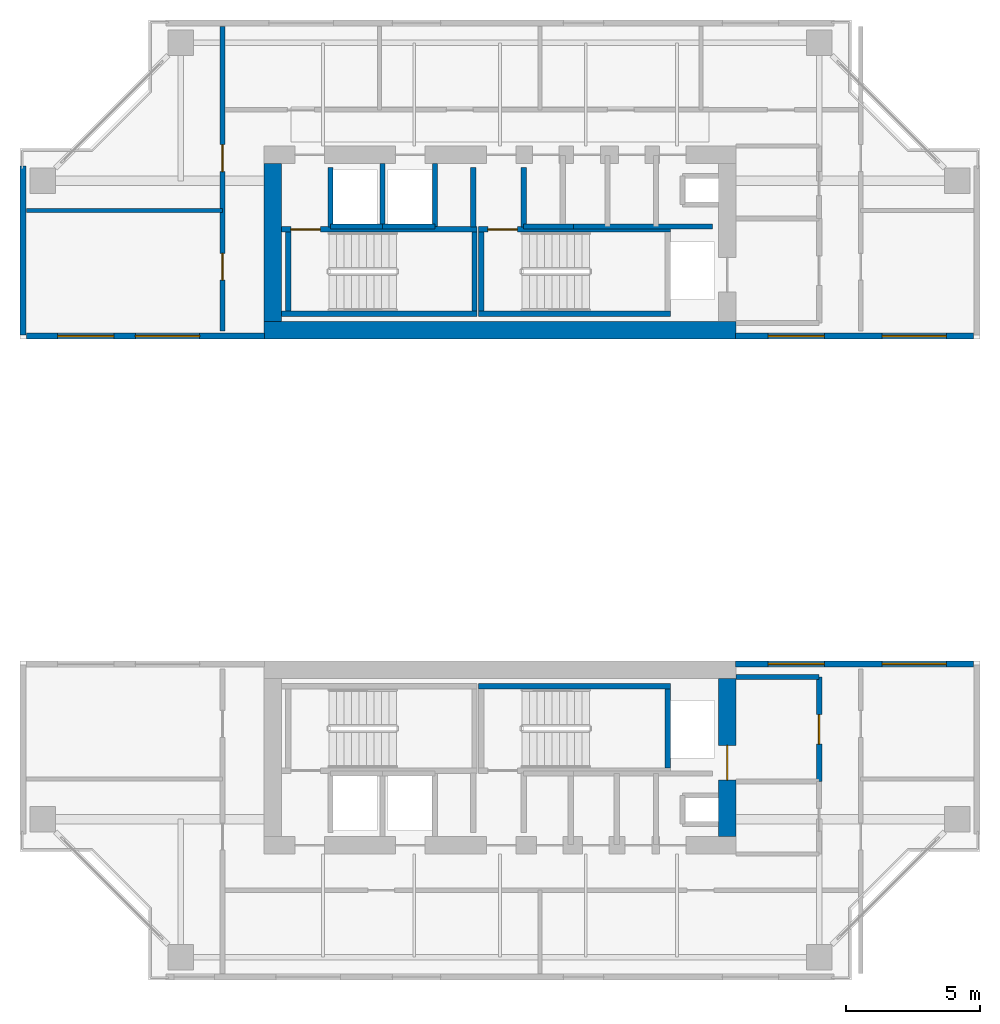
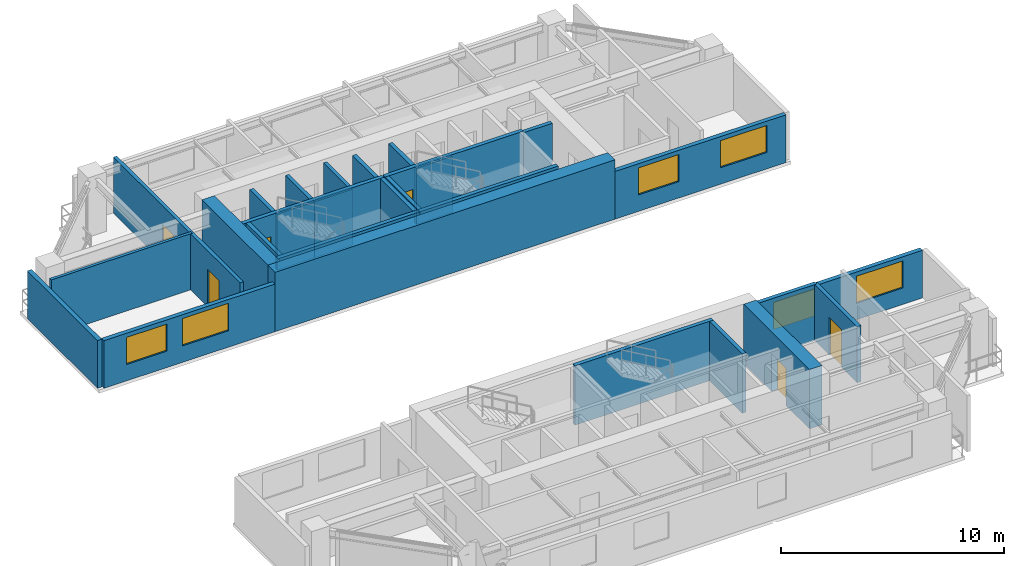
# One storey, part 8 of 12: 29 walls, 6 doors, 6 windows, 12 openings.
"""IFC4 building model written with IfcOpenShell, lengths in metres."""

from ifc_helpers import new_model, si_unit, direction, frame, frame_2d, origin, place, context, subcontext, project, spatial, rectangle, extrude, source, transform, mapped, material, layer, layer_set, type_object, element, fill, save


model = new_model("IFC4")

# Units and contexts
model_context = context("Model", 3, precision=1e-05, world=origin(), true_north=direction((0.0, 1.0)))
body_context = subcontext(model_context, "Body", "Model", "MODEL_VIEW")
ifc_project = project(units=[si_unit("LENGTHUNIT", "METRE"), si_unit("AREAUNIT", "SQUARE_METRE"), si_unit("VOLUMEUNIT", "CUBIC_METRE"), si_unit("PLANEANGLEUNIT", "RADIAN"), si_unit("MASSUNIT", "GRAM", prefix="KILO"), si_unit("THERMODYNAMICTEMPERATUREUNIT", "KELVIN"), si_unit("POWERUNIT", "WATT")], contexts=[model_context])

# Site, building, storey
site_placement = place(None, origin())
site = spatial("IfcSite", under=ifc_project, at=site_placement, CompositionType="ELEMENT")
building_placement = place(site_placement, origin())
building = spatial("IfcBuilding", under=site, at=building_placement, Name="Qiaomeng Ring Towers", CompositionType="ELEMENT")
storey_placement = place(building_placement, frame((0.0, 0.0, 163.25)))
storey = spatial("IfcBuildingStorey", under=building, at=storey_placement, Name="L47", CompositionType="ELEMENT", Elevation=163.25)

# Wall, openings, windows
ifc_material_1 = material(Name="Precast concrete C40", Category="concrete")
ifc_layer_1 = layer(ifc_material_1, 0.219970703125, Name="Precast concrete C40")
ifc_layer_set_1 = layer_set([ifc_layer_1], Name="Precast concrete C40")
wall_type_1 = type_object("IfcWallType", Name="ARC-WL-EW2", PredefinedType="STANDARD", material=ifc_layer_set_1)
wall_1_placement = place(storey_placement, frame((1.35009765625, 29.110107421875, 0.0), z_axis=(0.0, 0.0, 1.0), x_axis=(1.0, 0.0, 0.0)))
wall_1 = element("IfcWall", 1, at=wall_1_placement, inside=storey, type_object=wall_type_1, Name="L47 Portal Wing Wall NWING-W", PredefinedType="STANDARD", context=body_context, shape_type="SweptSolid", body=[
    extrude(rectangle(XDim=8.869873046875, YDim=0.219970703125, at=frame_2d((4.43505859375, 0.0))), origin(), (0.0, 0.0, 1.0), 2.610107421875),
])
opening_1_placement = place(wall_1_placement, frame((1.14990234375, 0.0, 0.89990234375)))
opening_1 = element("IfcOpeningElement", 2, at=opening_1_placement, cuts=wall_1, Name="Opening WN4", PredefinedType="OPENING", context=body_context, shape_type="SweptSolid", body=[
    extrude(rectangle(XDim=2.10009765625, YDim=1.47998046875, at=frame_2d((1.050048828125, 0.739990234375))), frame((0.0, 0.119873046875, 0.0), z_axis=(0.0, -1.0, 0.0), x_axis=(1.0, 0.0, 0.0)), (0.0, 0.0, 1.0), 0.239990234375),
])
opening_2_placement = place(wall_1_placement, frame((4.050048828125, 0.0, 0.89990234375)))
opening_2 = element("IfcOpeningElement", 3, at=opening_2_placement, cuts=wall_1, Name="Opening WN6", PredefinedType="OPENING", context=body_context, shape_type="SweptSolid", body=[
    extrude(rectangle(XDim=2.39990234375, YDim=1.5, at=frame_2d((1.199951171875, 0.75))), frame((0.0, 0.119873046875, 0.0), z_axis=(0.0, -1.0, 0.0), x_axis=(1.0, 0.0, 0.0)), (0.0, 0.0, 1.0), 0.239990234375),
])
ifc_material_2 = material(Name="Low-E dark-grey laminated double glazing", Category="glass")
window_type_1 = type_object("IfcWindowType", Name="ARC-WN-4", PartitioningType="TRIPLE_PANEL_VERTICAL", PredefinedType="WINDOW", material=ifc_material_2)
shared_shape_1 = source(origin(), body_context, "Body", "SweptSolid", [
    extrude(rectangle(XDim=2.10009765625, YDim=1.47998046875, at=frame_2d((1.050048828125, 0.739990234375))), frame((0.0, 0.030029296875, 0.0), z_axis=(0.0, -1.0, 0.0), x_axis=(1.0, 0.0, 0.0)), (0.0, 0.0, 1.0), 0.06005859375),
])
window_1_placement = place(opening_1_placement, origin())
window_1 = element("IfcWindow", 4, at=window_1_placement, inside=storey, type_object=window_type_1, Name="L47 Exterior Window WN4", OverallHeight=1.47998046875, OverallWidth=2.10009765625, PartitioningType="TRIPLE_PANEL_VERTICAL", PredefinedType="WINDOW", context=body_context, shape_type="MappedRepresentation", body=[
    mapped(shared_shape_1, transform((0.0, 0.0, 0.0), x_axis=(1.0, 0.0, 0.0), y_axis=(0.0, 1.0, 0.0), z_axis=(0.0, 0.0, 1.0), scale=1.0)),
])
fill(opening_1, window_1)
window_type_2 = type_object("IfcWindowType", Name="ARC-WN-6", PartitioningType="TRIPLE_PANEL_VERTICAL", PredefinedType="WINDOW", material=ifc_material_2)
shared_shape_2 = source(origin(), body_context, "Body", "SweptSolid", [
    extrude(rectangle(XDim=2.39990234375, YDim=1.5, at=frame_2d((1.199951171875, 0.75))), frame((0.0, 0.030029296875, 0.0), z_axis=(0.0, -1.0, 0.0), x_axis=(1.0, 0.0, 0.0)), (0.0, 0.0, 1.0), 0.06005859375),
])
window_2_placement = place(opening_2_placement, origin())
window_2 = element("IfcWindow", 5, at=window_2_placement, inside=storey, type_object=window_type_2, Name="L47 Exterior Window WN6", OverallHeight=1.5, OverallWidth=2.39990234375, PartitioningType="TRIPLE_PANEL_VERTICAL", PredefinedType="WINDOW", context=body_context, shape_type="MappedRepresentation", body=[
    mapped(shared_shape_2, transform((0.0, 0.0, 0.0), x_axis=(1.0, 0.0, 0.0), y_axis=(0.0, 1.0, 0.0), z_axis=(0.0, 0.0, 1.0), scale=1.0)),
])
fill(opening_2, window_2)

wall_2_placement = place(storey_placement, frame((27.780029296875, 29.110107421875, 0.0), z_axis=(0.0, 0.0, 1.0), x_axis=(1.0, 0.0, 0.0)))
wall_2 = element("IfcWall", 6, at=wall_2_placement, inside=storey, type_object=wall_type_1, Name="L47 Portal Wing Wall NWING-E", PredefinedType="STANDARD", context=body_context, shape_type="SweptSolid", body=[
    extrude(rectangle(XDim=8.869873046875, YDim=0.219970703125, at=frame_2d((4.43505859375, 0.0))), origin(), (0.0, 0.0, 1.0), 2.610107421875),
])
opening_3_placement = place(wall_2_placement, frame((1.219970703125, 0.0, 0.89990234375)))
opening_3 = element("IfcOpeningElement", 7, at=opening_3_placement, cuts=wall_2, Name="Opening WN4", PredefinedType="OPENING", context=body_context, shape_type="SweptSolid", body=[
    extrude(rectangle(XDim=2.10009765625, YDim=1.47998046875, at=frame_2d((1.050048828125, 0.739990234375))), frame((0.0, 0.119873046875, 0.0), z_axis=(0.0, -1.0, 0.0), x_axis=(1.0, 0.0, 0.0)), (0.0, 0.0, 1.0), 0.239990234375),
])
opening_4_placement = place(wall_2_placement, frame((5.469970703125, 0.0, 0.89990234375)))
opening_4 = element("IfcOpeningElement", 8, at=opening_4_placement, cuts=wall_2, Name="Opening WN6", PredefinedType="OPENING", context=body_context, shape_type="SweptSolid", body=[
    extrude(rectangle(XDim=2.39990234375, YDim=1.47998046875, at=frame_2d((1.199951171875, 0.739990234375))), frame((0.0, 0.119873046875, 0.0), z_axis=(0.0, -1.0, 0.0), x_axis=(1.0, 0.0, 0.0)), (0.0, 0.0, 1.0), 0.239990234375),
])
window_3_placement = place(opening_3_placement, origin())
window_3 = element("IfcWindow", 9, at=window_3_placement, inside=storey, type_object=window_type_1, Name="L47 Exterior Window WN4", OverallHeight=1.47998046875, OverallWidth=2.10009765625, PartitioningType="TRIPLE_PANEL_VERTICAL", PredefinedType="WINDOW", context=body_context, shape_type="MappedRepresentation", body=[
    mapped(shared_shape_1, transform((0.0, 0.0, 0.0), x_axis=(1.0, 0.0, 0.0), y_axis=(0.0, 1.0, 0.0), z_axis=(0.0, 0.0, 1.0), scale=1.0)),
])
fill(opening_3, window_3)
shared_shape_3 = source(origin(), body_context, "Body", "SweptSolid", [
    extrude(rectangle(XDim=2.39990234375, YDim=1.47998046875, at=frame_2d((1.199951171875, 0.739990234375))), frame((0.0, 0.030029296875, 0.0), z_axis=(0.0, -1.0, 0.0), x_axis=(1.0, 0.0, 0.0)), (0.0, 0.0, 1.0), 0.06005859375),
])
window_4_placement = place(opening_4_placement, origin())
window_4 = element("IfcWindow", 10, at=window_4_placement, inside=storey, type_object=window_type_2, Name="L47 Exterior Window WN6", OverallHeight=1.47998046875, OverallWidth=2.39990234375, PartitioningType="TRIPLE_PANEL_VERTICAL", PredefinedType="WINDOW", context=body_context, shape_type="MappedRepresentation", body=[
    mapped(shared_shape_3, transform((0.0, 0.0, 0.0), x_axis=(1.0, 0.0, 0.0), y_axis=(0.0, 1.0, 0.0), z_axis=(0.0, 0.0, 1.0), scale=1.0)),
])
fill(opening_4, window_4)

# Wall
wall_3_placement = place(storey_placement, frame((1.2099609375, 29.14990234375, 0.0), z_axis=(0.0, 0.0, 1.0), x_axis=(0.0, 1.0, 0.0)))
element("IfcWall", 11, at=wall_3_placement, inside=storey, type_object=wall_type_1, Name="L47 Portal Wing Side Wall NWING-WL", PredefinedType="STANDARD", context=body_context, shape_type="SweptSolid", body=[
    extrude(rectangle(XDim=6.300048828125, YDim=0.219970703125, at=frame_2d((3.14990234375, 0.0))), origin(), (0.0, 0.0, 1.0), 2.610107421875),
])

# Wall, openings, windows
wall_4_placement = place(storey_placement, frame((27.780029296875, 16.889892578125, 0.0), z_axis=(0.0, 0.0, 1.0), x_axis=(1.0, 0.0, 0.0)))
wall_4 = element("IfcWall", 12, at=wall_4_placement, inside=storey, type_object=wall_type_1, Name="L47 Portal Wing Wall SWING-E", PredefinedType="STANDARD", context=body_context, shape_type="SweptSolid", body=[
    extrude(rectangle(XDim=8.869873046875, YDim=0.219970703125, at=frame_2d((4.43505859375, 0.0))), origin(), (0.0, 0.0, 1.0), 2.610107421875),
])
opening_5_placement = place(wall_4_placement, frame((1.219970703125, 0.0, 0.89990234375)))
opening_5 = element("IfcOpeningElement", 13, at=opening_5_placement, cuts=wall_4, Name="Opening WN4", PredefinedType="OPENING", context=body_context, shape_type="SweptSolid", body=[
    extrude(rectangle(XDim=2.10009765625, YDim=1.47998046875, at=frame_2d((1.050048828125, 0.739990234375))), frame((0.0, 0.119873046875, 0.0), z_axis=(0.0, -1.0, 0.0), x_axis=(1.0, 0.0, 0.0)), (0.0, 0.0, 1.0), 0.239990234375),
])
opening_6_placement = place(wall_4_placement, frame((5.469970703125, 0.0, 0.89990234375)))
opening_6 = element("IfcOpeningElement", 14, at=opening_6_placement, cuts=wall_4, Name="Opening WN6", PredefinedType="OPENING", context=body_context, shape_type="SweptSolid", body=[
    extrude(rectangle(XDim=2.39990234375, YDim=1.47998046875, at=frame_2d((1.199951171875, 0.739990234375))), frame((0.0, 0.119873046875, 0.0), z_axis=(0.0, -1.0, 0.0), x_axis=(1.0, 0.0, 0.0)), (0.0, 0.0, 1.0), 0.239990234375),
])
window_5_placement = place(opening_5_placement, origin())
window_5 = element("IfcWindow", 15, at=window_5_placement, inside=storey, type_object=window_type_1, Name="L47 Exterior Window WN4", OverallHeight=1.47998046875, OverallWidth=2.10009765625, PartitioningType="TRIPLE_PANEL_VERTICAL", PredefinedType="WINDOW", context=body_context, shape_type="MappedRepresentation", body=[
    mapped(shared_shape_1, transform((0.0, 0.0, 0.0), x_axis=(1.0, 0.0, 0.0), y_axis=(0.0, 1.0, 0.0), z_axis=(0.0, 0.0, 1.0), scale=1.0)),
])
fill(opening_5, window_5)
window_6_placement = place(opening_6_placement, origin())
window_6 = element("IfcWindow", 16, at=window_6_placement, inside=storey, type_object=window_type_2, Name="L47 Exterior Window WN6", OverallHeight=1.47998046875, OverallWidth=2.39990234375, PartitioningType="TRIPLE_PANEL_VERTICAL", PredefinedType="WINDOW", context=body_context, shape_type="MappedRepresentation", body=[
    mapped(shared_shape_3, transform((0.0, 0.0, 0.0), x_axis=(1.0, 0.0, 0.0), y_axis=(0.0, 1.0, 0.0), z_axis=(0.0, 0.0, 1.0), scale=1.0)),
])
fill(opening_6, window_6)

# Wall
ifc_material_3 = material(Name="Autoclaved aerated concrete block", Category="concrete")
ifc_layer_2 = layer(ifc_material_3, 0.199951171875, Name="Autoclaved aerated concrete block")
ifc_layer_set_2 = layer_set([ifc_layer_2], Name="Autoclaved aerated concrete block")
wall_type_2 = type_object("IfcWallType", Name="ARC-WL-PW1", PredefinedType="PARTITIONING", material=ifc_layer_set_2)
wall_5_placement = place(storey_placement, frame((27.800048828125, 16.39990234375, 0.0), z_axis=(0.0, 0.0, 1.0), x_axis=(1.0, 0.0, 0.0)))
element("IfcWall", 17, at=wall_5_placement, inside=storey, type_object=wall_type_2, Name="L47 Interior Wall PW1", PredefinedType="PARTITIONING", context=body_context, shape_type="SweptSolid", body=[
    extrude(rectangle(XDim=3.099853515625, YDim=0.199951171875, at=frame_2d((1.5498046875, 0.0))), origin(), (0.0, 0.0, 1.0), 3.070068359375),
])

# Wall, opening, door
wall_6_placement = place(storey_placement, frame((30.89990234375, 12.5, 0.0), z_axis=(0.0, 0.0, 1.0), x_axis=(0.0, 1.0, 0.0)))
wall_6 = element("IfcWall", 18, at=wall_6_placement, inside=storey, type_object=wall_type_2, Name="L47 Interior Wall PW1", PredefinedType="PARTITIONING", context=body_context, shape_type="SweptSolid", body=[
    extrude(rectangle(XDim=3.89990234375, YDim=0.199951171875, at=frame_2d((1.949951171875, 0.0))), origin(), (0.0, 0.0, 1.0), 3.070068359375),
])
opening_7_placement = place(wall_6_placement, frame((1.39990234375, 0.0, 0.0)))
opening_7 = element("IfcOpeningElement", 19, at=opening_7_placement, cuts=wall_6, Name="Opening FD3", PredefinedType="OPENING", context=body_context, shape_type="SweptSolid", body=[
    extrude(rectangle(XDim=1.10009765625, YDim=2.050048828125, at=frame_2d((0.550048828125, 1.02490234375))), frame((0.0, 0.10986328125, 0.0), z_axis=(0.0, -1.0, 0.0), x_axis=(1.0, 0.0, 0.0)), (0.0, 0.0, 1.0), 0.219970703125),
])
ifc_material_4 = material(Name="Galvanised steel", Category="steel")
door_type_1 = type_object("IfcDoorType", Name="ARC-DR-FD3", OperationType="NOTDEFINED", PredefinedType="DOOR", material=ifc_material_4)
shared_shape_4 = source(origin(), body_context, "Body", "SweptSolid", [
    extrude(rectangle(XDim=1.10009765625, YDim=2.050048828125, at=frame_2d((0.550048828125, 1.02490234375))), frame((0.0, 0.02490234375, 0.0), z_axis=(0.0, -1.0, 0.0), x_axis=(1.0, 0.0, 0.0)), (0.0, 0.0, 1.0), 0.050048828125),
])
door_1_placement = place(opening_7_placement, origin())
door_1 = element("IfcDoor", 20, at=door_1_placement, inside=storey, type_object=door_type_1, Name="L47 South FF Lobby Door", OperationType="SINGLE_SWING_RIGHT", OverallHeight=2.050048828125, OverallWidth=1.10009765625, PredefinedType="DOOR", context=body_context, shape_type="MappedRepresentation", body=[
    mapped(shared_shape_4, transform((0.0, 0.0, 0.0), x_axis=(1.0, 0.0, 0.0), y_axis=(0.0, 1.0, 0.0), z_axis=(0.0, 0.0, 1.0), scale=1.0)),
])
fill(opening_7, door_1)

# Walls
for number, where, z_axis, x_axis, name in (
    (21, (12.679931640625, 33.18994140625, 0.0), (0.0, 0.0, 1.0), (0.0, 1.0, 0.0), "L47 Interior Wall PW1"),
    (22, (18.0, 33.18994140625, 0.0), (0.0, 0.0, 1.0), (0.0, 1.0, 0.0), "L47 Interior Wall PW1"),
    (23, (19.8798828125, 33.18994140625, 0.0), (0.0, 0.0, 1.0), (0.0, 1.0, 0.0), "L47 Interior Wall PW1"),
):
    element("IfcWall", number, at=place(storey_placement, frame(where, z_axis=z_axis, x_axis=x_axis)), inside=storey, type_object=wall_type_2, Name=name, PredefinedType="PARTITIONING", context=body_context, shape_type="SweptSolid", body=[
        extrude(rectangle(XDim=2.2099609375, YDim=0.199951171875, at=frame_2d((1.10498046875, 0.0))), origin(), (0.0, 0.0, 1.0), 3.070068359375),
    ])
wall_7_placement = place(storey_placement, frame((19.8798828125, 33.199951171875, 0.0), z_axis=(0.0, 0.0, 1.0), x_axis=(1.0, 0.0, 0.0)))
element("IfcWall", 24, at=wall_7_placement, inside=storey, type_object=wall_type_2, Name="L47 Interior Wall PW1", PredefinedType="PARTITIONING", context=body_context, shape_type="SweptSolid", body=[
    extrude(rectangle(XDim=1.8701171875, YDim=0.199951171875, at=frame_2d((0.93505859375, 0.0))), origin(), (0.0, 0.0, 1.0), 3.070068359375),
])
wall_8_placement = place(storey_placement, frame((21.75, 33.199951171875, 0.0), z_axis=(0.0, 0.0, 1.0), x_axis=(1.0, 0.0, 0.0)))
element("IfcWall", 25, at=wall_8_placement, inside=storey, type_object=wall_type_2, Name="L47 Interior Wall PW1", PredefinedType="PARTITIONING", context=body_context, shape_type="SweptSolid", body=[
    extrude(rectangle(XDim=5.169921875, YDim=0.199951171875, at=frame_2d((2.5849609375, 0.0))), origin(), (0.0, 0.0, 1.0), 3.070068359375),
])

# Wall, openings, doors
ifc_layer_3 = layer(ifc_material_3, 0.179931640625, Name="Autoclaved aerated concrete block")
ifc_layer_set_3 = layer_set([ifc_layer_3], Name="Autoclaved aerated concrete block")
wall_type_3 = type_object("IfcWallType", Name="ARC-WL-PW2", PredefinedType="PARTITIONING", material=ifc_layer_set_3)
wall_9_placement = place(storey_placement, frame((8.64990234375, 29.300048828125, 0.0), z_axis=(0.0, 0.0, 1.0), x_axis=(0.0, 1.0, 0.0)))
wall_9 = element("IfcWall", 26, at=wall_9_placement, inside=storey, type_object=wall_type_3, Name="L47 Interior Wall PW2", PredefinedType="PARTITIONING", context=body_context, shape_type="SweptSolid", body=[
    extrude(rectangle(XDim=11.349853515625, YDim=0.179931640625, at=frame_2d((5.6748046875, 0.0))), origin(), (0.0, 0.0, 1.0), 3.070068359375),
])
opening_8_placement = place(wall_9_placement, frame((1.89990234375, 0.0, 0.0)))
opening_8 = element("IfcOpeningElement", 27, at=opening_8_placement, cuts=wall_9, Name="Opening FD4", PredefinedType="OPENING", context=body_context, shape_type="SweptSolid", body=[
    extrude(rectangle(XDim=1.0, YDim=2.050048828125, at=frame_2d((0.5, 1.02490234375))), frame((0.0, 0.099853515625, 0.0), z_axis=(0.0, -1.0, 0.0), x_axis=(1.0, 0.0, 0.0)), (0.0, 0.0, 1.0), 0.199951171875),
])
opening_9_placement = place(wall_9_placement, frame((5.949951171875, 0.0, 0.0)))
opening_9 = element("IfcOpeningElement", 28, at=opening_9_placement, cuts=wall_9, Name="Opening FD4", PredefinedType="OPENING", context=body_context, shape_type="SweptSolid", body=[
    extrude(rectangle(XDim=1.0, YDim=2.050048828125, at=frame_2d((0.5, 1.02490234375))), frame((0.0, 0.099853515625, 0.0), z_axis=(0.0, -1.0, 0.0), x_axis=(1.0, 0.0, 0.0)), (0.0, 0.0, 1.0), 0.199951171875),
])
ifc_material_5 = material(Name="Engineered fire-rated oak timber", Category="wood")
door_type_2 = type_object("IfcDoorType", Name="ARC-DR-FD4", OperationType="NOTDEFINED", PredefinedType="DOOR", material=ifc_material_5)
shared_shape_5 = source(origin(), body_context, "Body", "SweptSolid", [
    extrude(rectangle(XDim=1.0, YDim=2.050048828125, at=frame_2d((0.5, 1.02490234375))), frame((0.0, 0.02490234375, 0.0), z_axis=(0.0, -1.0, 0.0), x_axis=(1.0, 0.0, 0.0)), (0.0, 0.0, 1.0), 0.050048828125),
])
door_2_placement = place(opening_8_placement, origin())
door_2 = element("IfcDoor", 29, at=door_2_placement, inside=storey, type_object=door_type_2, Name="L47 Door FD4", OperationType="SINGLE_SWING_LEFT", OverallHeight=2.050048828125, OverallWidth=1.0, PredefinedType="DOOR", context=body_context, shape_type="MappedRepresentation", body=[
    mapped(shared_shape_5, transform((0.0, 0.0, 0.0), x_axis=(1.0, 0.0, 0.0), y_axis=(0.0, 1.0, 0.0), z_axis=(0.0, 0.0, 1.0), scale=1.0)),
])
fill(opening_8, door_2)
door_3_placement = place(opening_9_placement, origin())
door_3 = element("IfcDoor", 30, at=door_3_placement, inside=storey, type_object=door_type_2, Name="L47 Door FD4", OperationType="SINGLE_SWING_RIGHT", OverallHeight=2.050048828125, OverallWidth=1.0, PredefinedType="DOOR", context=body_context, shape_type="MappedRepresentation", body=[
    mapped(shared_shape_5, transform((0.0, 0.0, 0.0), x_axis=(1.0, 0.0, 0.0), y_axis=(0.0, 1.0, 0.0), z_axis=(0.0, 0.0, 1.0), scale=1.0)),
])
fill(opening_9, door_3)

# Walls
ifc_material_6 = material(Name="Gypsum fireboard steel-stud partition", Category="steel")
ifc_layer_4 = layer(ifc_material_6, 0.14990234375, Name="Gypsum fireboard steel-stud partition")
ifc_layer_set_4 = layer_set([ifc_layer_4], Name="Gypsum fireboard steel-stud partition")
wall_type_4 = type_object("IfcWallType", Name="ARC-WL-PW3", PredefinedType="PARTITIONING", material=ifc_layer_set_4)
wall_10_placement = place(storey_placement, frame((1.35009765625, 33.800048828125, 0.0), z_axis=(0.0, 0.0, 1.0), x_axis=(1.0, 0.0, 0.0)))
element("IfcWall", 31, at=wall_10_placement, inside=storey, type_object=wall_type_4, Name="L47 Interior Wall PW3", PredefinedType="PARTITIONING", context=body_context, shape_type="SweptSolid", body=[
    extrude(rectangle(XDim=7.2998046875, YDim=0.14990234375, at=frame_2d((3.64990234375, 0.0))), origin(), (0.0, 0.0, 1.0), 3.070068359375),
])
ifc_material_7 = material(Name="Concrete C40", Category="concrete")
ifc_layer_5 = layer(ifc_material_7, 0.199951171875, Name="Concrete C40")
ifc_layer_set_5 = layer_set([ifc_layer_5], Name="Concrete C40")
wall_type_5 = type_object("IfcWallType", Name="STR-WL-STSHAFT", PredefinedType="SHEAR", material=ifc_layer_set_5)
wall_11_placement = place(storey_placement, frame((12.679931640625, 33.199951171875, 0.0), z_axis=(0.0, 0.0, 1.0), x_axis=(1.0, 0.0, 0.0)))
element("IfcWall", 32, at=wall_11_placement, inside=storey, type_object=wall_type_5, Name="L47 Lift LP5 Shaft Back Wall", PredefinedType="SHEAR", context=body_context, shape_type="SweptSolid", body=[
    extrude(rectangle(XDim=1.940185546875, YDim=0.179931640625, at=frame_2d((0.97021484375, 0.0))), origin(), (0.0, 0.0, 1.0), 3.070068359375),
])
wall_12_placement = place(storey_placement, frame((14.6201171875, 33.199951171875, 0.0), z_axis=(0.0, 0.0, 1.0), x_axis=(0.0, 1.0, 0.0)))
element("IfcWall", 33, at=wall_12_placement, inside=storey, type_object=wall_type_5, Name="L47 Lift LP5-LP3 Shaft Divider Wall", PredefinedType="SHEAR", context=body_context, shape_type="SweptSolid", body=[
    extrude(rectangle(XDim=2.35009765625, YDim=0.179931640625, at=frame_2d((1.175048828125, 0.0))), origin(), (0.0, 0.0, 1.0), 3.070068359375),
])
wall_13_placement = place(storey_placement, frame((14.6201171875, 33.199951171875, 0.0), z_axis=(0.0, 0.0, 1.0), x_axis=(1.0, 0.0, 0.0)))
element("IfcWall", 34, at=wall_13_placement, inside=storey, type_object=wall_type_5, Name="L47 Lift LP3 Shaft Back Wall", PredefinedType="SHEAR", context=body_context, shape_type="SweptSolid", body=[
    extrude(rectangle(XDim=1.9599609375, YDim=0.179931640625, at=frame_2d((0.97998046875, 0.0))), origin(), (0.0, 0.0, 1.0), 3.070068359375),
])
wall_14_placement = place(storey_placement, frame((16.580078125, 33.199951171875, 0.0), z_axis=(0.0, 0.0, 1.0), x_axis=(0.0, 1.0, 0.0)))
element("IfcWall", 35, at=wall_14_placement, inside=storey, type_object=wall_type_5, Name="L47 Lift LP3 East Shaft Wall", PredefinedType="SHEAR", context=body_context, shape_type="SweptSolid", body=[
    extrude(rectangle(XDim=2.35009765625, YDim=0.179931640625, at=frame_2d((1.175048828125, 0.0))), origin(), (0.0, 0.0, 1.0), 3.070068359375),
])
wall_15_placement = place(storey_placement, frame((10.85009765625, 29.949951171875, 0.0), z_axis=(0.0, 0.0, 1.0), x_axis=(1.0, 0.0, 0.0)))
element("IfcWall", 36, at=wall_15_placement, inside=storey, type_object=wall_type_5, Name="L47 Stair ST1 South Shaft Shear Wall", PredefinedType="SHEAR", context=body_context, shape_type="SweptSolid", body=[
    extrude(rectangle(XDim=7.2998046875, YDim=0.199951171875, at=frame_2d((3.64990234375, 0.0))), origin(), (0.0, 0.0, 1.0), 3.25),
])

# Wall, opening, door
wall_16_placement = place(storey_placement, frame((10.85009765625, 33.090087890625, 0.0), z_axis=(0.0, 0.0, 1.0), x_axis=(1.0, 0.0, 0.0)))
wall_16 = element("IfcWall", 37, at=wall_16_placement, inside=storey, type_object=wall_type_5, Name="L47 Stair ST1 North Shaft Shear Wall", PredefinedType="SHEAR", context=body_context, shape_type="SweptSolid", body=[
    extrude(rectangle(XDim=7.2998046875, YDim=0.199951171875, at=frame_2d((3.64990234375, 0.0))), origin(), (0.0, 0.0, 1.0), 3.25),
])
opening_10_placement = place(wall_16_placement, frame((0.35009765625, 0.0, 0.0)))
opening_10 = element("IfcOpeningElement", 38, at=opening_10_placement, cuts=wall_16, Name="Opening FD3", PredefinedType="OPENING", context=body_context, shape_type="SweptSolid", body=[
    extrude(rectangle(XDim=1.10009765625, YDim=2.050048828125, at=frame_2d((0.550048828125, 1.02490234375))), frame((0.0, 0.10986328125, 0.0), z_axis=(0.0, -1.0, 0.0), x_axis=(1.0, 0.0, 0.0)), (0.0, 0.0, 1.0), 0.219970703125),
])
door_4_placement = place(opening_10_placement, origin())
door_4 = element("IfcDoor", 39, at=door_4_placement, inside=storey, type_object=door_type_1, Name="L47 Stair ST1 Exit Door", OperationType="SINGLE_SWING_RIGHT", OverallHeight=2.050048828125, OverallWidth=1.10009765625, PredefinedType="DOOR", context=body_context, shape_type="MappedRepresentation", body=[
    mapped(shared_shape_4, transform((0.0, 0.0, 0.0), x_axis=(1.0, 0.0, 0.0), y_axis=(0.0, 1.0, 0.0), z_axis=(0.0, 0.0, 1.0), scale=1.0)),
])
fill(opening_10, door_4)

# Walls
for number, where, z_axis, x_axis, name in (
    (40, (11.10009765625, 30.050048828125, 0.0), (0.0, 0.0, 1.0), (0.0, 1.0, 0.0), "L47 Stair ST1 West Shaft Shear Wall"),
    (41, (18.050048828125, 30.050048828125, 0.0), (0.0, 0.0, 1.0), (0.0, 1.0, 0.0), "L47 Stair ST1 East Shaft Shear Wall"),
):
    element("IfcWall", number, at=place(storey_placement, frame(where, z_axis=z_axis, x_axis=x_axis)), inside=storey, type_object=wall_type_5, Name=name, PredefinedType="SHEAR", context=body_context, shape_type="SweptSolid", body=[
        extrude(rectangle(XDim=2.93994140625, YDim=0.199951171875, at=frame_2d((1.469970703125, 0.0))), origin(), (0.0, 0.0, 1.0), 3.25),
    ])
wall_17_placement = place(storey_placement, frame((18.199951171875, 29.949951171875, 0.0), z_axis=(0.0, 0.0, 1.0), x_axis=(1.0, 0.0, 0.0)))
element("IfcWall", 42, at=wall_17_placement, inside=storey, type_object=wall_type_5, Name="L47 Stair ST2 South Shaft Shear Wall", PredefinedType="SHEAR", context=body_context, shape_type="SweptSolid", body=[
    extrude(rectangle(XDim=7.150146484375, YDim=0.199951171875, at=frame_2d((3.5751953125, 0.0))), origin(), (0.0, 0.0, 1.0), 3.25),
])

# Wall, opening, door
wall_18_placement = place(storey_placement, frame((18.199951171875, 33.090087890625, 0.0), z_axis=(0.0, 0.0, 1.0), x_axis=(1.0, 0.0, 0.0)))
wall_18 = element("IfcWall", 43, at=wall_18_placement, inside=storey, type_object=wall_type_5, Name="L47 Stair ST2 North Shaft Shear Wall", PredefinedType="SHEAR", context=body_context, shape_type="SweptSolid", body=[
    extrude(rectangle(XDim=7.150146484375, YDim=0.199951171875, at=frame_2d((3.5751953125, 0.0))), origin(), (0.0, 0.0, 1.0), 3.25),
])
opening_11_placement = place(wall_18_placement, frame((0.35009765625, 0.0, 0.0)))
opening_11 = element("IfcOpeningElement", 44, at=opening_11_placement, cuts=wall_18, Name="Opening FD3", PredefinedType="OPENING", context=body_context, shape_type="SweptSolid", body=[
    extrude(rectangle(XDim=1.10009765625, YDim=2.050048828125, at=frame_2d((0.550048828125, 1.02490234375))), frame((0.0, 0.10986328125, 0.0), z_axis=(0.0, -1.0, 0.0), x_axis=(1.0, 0.0, 0.0)), (0.0, 0.0, 1.0), 0.219970703125),
])
door_5_placement = place(opening_11_placement, origin())
door_5 = element("IfcDoor", 45, at=door_5_placement, inside=storey, type_object=door_type_1, Name="L47 Stair ST2 Exit Door", OperationType="SINGLE_SWING_RIGHT", OverallHeight=2.050048828125, OverallWidth=1.10009765625, PredefinedType="DOOR", context=body_context, shape_type="MappedRepresentation", body=[
    mapped(shared_shape_4, transform((0.0, 0.0, 0.0), x_axis=(1.0, 0.0, 0.0), y_axis=(0.0, 1.0, 0.0), z_axis=(0.0, 0.0, 1.0), scale=1.0)),
])
fill(opening_11, door_5)

# Walls
wall_19_placement = place(storey_placement, frame((18.300048828125, 30.050048828125, 0.0), z_axis=(0.0, 0.0, 1.0), x_axis=(0.0, 1.0, 0.0)))
element("IfcWall", 46, at=wall_19_placement, inside=storey, type_object=wall_type_5, Name="L47 Stair ST2 West Shaft Shear Wall", PredefinedType="SHEAR", context=body_context, shape_type="SweptSolid", body=[
    extrude(rectangle(XDim=2.93994140625, YDim=0.199951171875, at=frame_2d((1.469970703125, 0.0))), origin(), (0.0, 0.0, 1.0), 3.25),
])
wall_20_placement = place(storey_placement, frame((18.199951171875, 16.050048828125, 0.0), z_axis=(0.0, 0.0, 1.0), x_axis=(1.0, 0.0, 0.0)))
element("IfcWall", 47, at=wall_20_placement, inside=storey, type_object=wall_type_5, Name="L47 Stair ST4 North Shaft Shear Wall", PredefinedType="SHEAR", context=body_context, shape_type="SweptSolid", body=[
    extrude(rectangle(XDim=7.150146484375, YDim=0.199951171875, at=frame_2d((3.5751953125, 0.0))), origin(), (0.0, 0.0, 1.0), 3.25),
])
wall_21_placement = place(storey_placement, frame((25.25, 13.010009765625, 0.0), z_axis=(0.0, 0.0, 1.0), x_axis=(0.0, 1.0, 0.0)))
element("IfcWall", 48, at=wall_21_placement, inside=storey, type_object=wall_type_5, Name="L47 Stair ST4 East Shaft Shear Wall", PredefinedType="SHEAR", context=body_context, shape_type="SweptSolid", body=[
    extrude(rectangle(XDim=2.93994140625, YDim=0.199951171875, at=frame_2d((1.469970703125, 0.0))), origin(), (0.0, 0.0, 1.0), 3.25),
])
ifc_material_8 = material(Name="Concrete C50", Category="concrete")
ifc_layer_6 = layer(ifc_material_8, 0.64990234375, Name="Concrete C50")
ifc_layer_set_6 = layer_set([ifc_layer_6], Name="Concrete C50")
wall_type_6 = type_object("IfcWallType", Name="STR-WL-SW2B", PredefinedType="SHEAR", material=ifc_layer_set_6)
wall_22_placement = place(storey_placement, frame((10.199951171875, 29.324951171875, 0.0), z_axis=(0.0, 0.0, 1.0), x_axis=(1.0, 0.0, 0.0)))
element("IfcWall", 49, at=wall_22_placement, inside=storey, type_object=wall_type_6, Name="L47 T1NC south core shear wall", PredefinedType="SHEAR", context=body_context, shape_type="SweptSolid", body=[
    extrude(rectangle(XDim=17.60009765625, YDim=0.64990234375, at=frame_2d((8.800048828125, 0.0))), origin(), (0.0, 0.0, 1.0), 3.25),
])
wall_23_placement = place(storey_placement, frame((10.52490234375, 29.64990234375, 0.0), z_axis=(0.0, 0.0, 1.0), x_axis=(0.0, 1.0, 0.0)))
element("IfcWall", 50, at=wall_23_placement, inside=storey, type_object=wall_type_6, Name="L47 T1NC west core shear wall", PredefinedType="SHEAR", context=body_context, shape_type="SweptSolid", body=[
    extrude(rectangle(XDim=5.900146484375, YDim=0.64990234375, at=frame_2d((2.9501953125, 0.0))), origin(), (0.0, 0.0, 1.0), 3.25),
])

# Wall, opening, door
wall_24_placement = place(storey_placement, frame((27.47509765625, 10.449951171875, 0.0), z_axis=(0.0, 0.0, 1.0), x_axis=(0.0, 1.0, 0.0)))
wall_24 = element("IfcWall", 51, at=wall_24_placement, inside=storey, type_object=wall_type_6, Name="L47 T1SC east core shear wall", PredefinedType="SHEAR", context=body_context, shape_type="SweptSolid", body=[
    extrude(rectangle(XDim=5.900146484375, YDim=0.64990234375, at=frame_2d((2.9501953125, 0.0))), origin(), (0.0, 0.0, 1.0), 3.25),
])
opening_12_placement = place(wall_24_placement, frame((2.10009765625, 0.0, 0.0)))
opening_12 = element("IfcOpeningElement", 52, at=opening_12_placement, cuts=wall_24, Name="Opening LD2", PredefinedType="OPENING", context=body_context, shape_type="SweptSolid", body=[
    extrude(rectangle(XDim=1.300048828125, YDim=2.050048828125, at=frame_2d((0.64990234375, 1.02490234375))), frame((0.0, 0.3349609375, 0.0), z_axis=(0.0, -1.0, 0.0), x_axis=(1.0, 0.0, 0.0)), (0.0, 0.0, 1.0), 0.669921875),
])
ifc_material_9 = material(Name="Stainless steel 316", Category="steel")
door_type_3 = type_object("IfcDoorType", Name="ARC-DR-LD2", OperationType="NOTDEFINED", PredefinedType="DOOR", material=ifc_material_9)
shared_shape_6 = source(origin(), body_context, "Body", "SweptSolid", [
    extrude(rectangle(XDim=1.300048828125, YDim=2.050048828125, at=frame_2d((0.64990234375, 1.02490234375))), frame((0.0, 0.02490234375, 0.0), z_axis=(0.0, -1.0, 0.0), x_axis=(1.0, 0.0, 0.0)), (0.0, 0.0, 1.0), 0.050048828125),
])
door_6_placement = place(opening_12_placement, origin())
door_6 = element("IfcDoor", 53, at=door_6_placement, inside=storey, type_object=door_type_3, Name="L47 Firefighting Lift FL2 Landing Door", OperationType="SLIDING_TO_RIGHT", OverallHeight=2.050048828125, OverallWidth=1.300048828125, PredefinedType="DOOR", context=body_context, shape_type="MappedRepresentation", body=[
    mapped(shared_shape_6, transform((0.0, 0.0, 0.0), x_axis=(1.0, 0.0, 0.0), y_axis=(0.0, 1.0, 0.0), z_axis=(0.0, 0.0, 1.0), scale=1.0)),
])
fill(opening_12, door_6)

save(model, "model.ifc")
